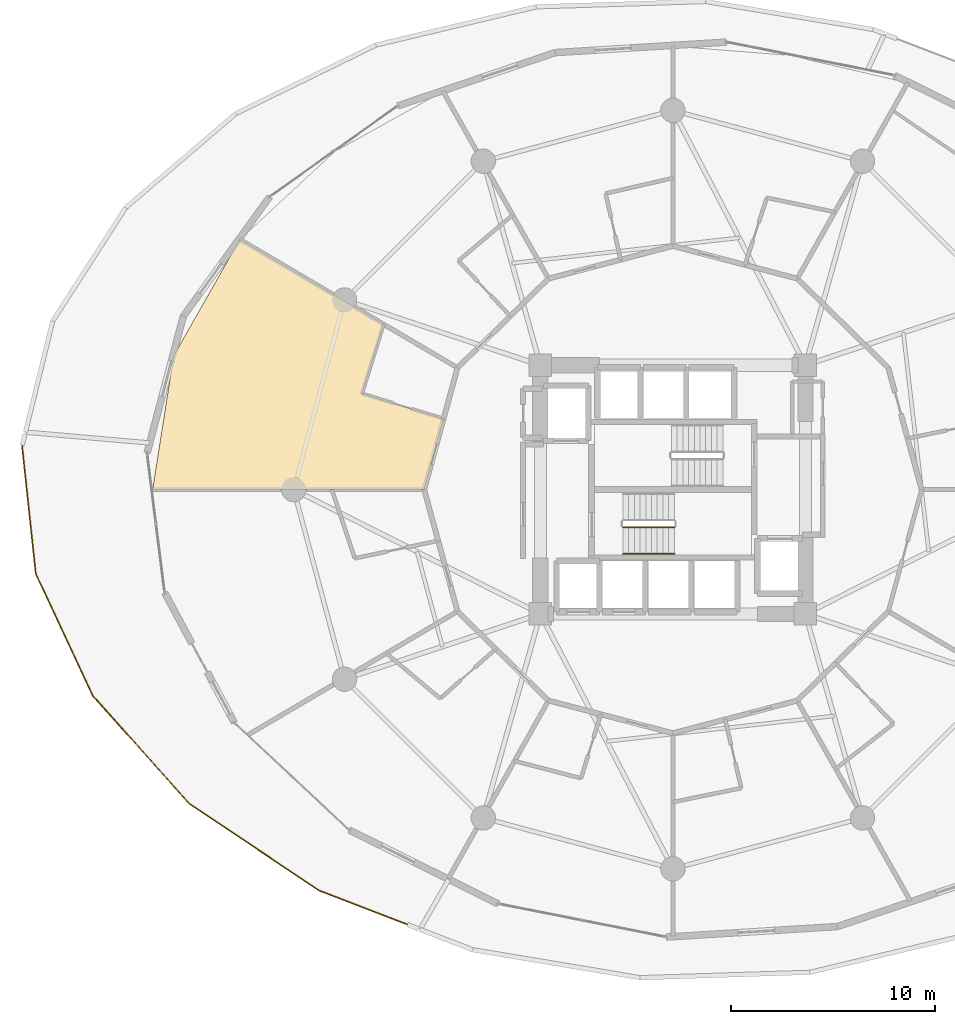
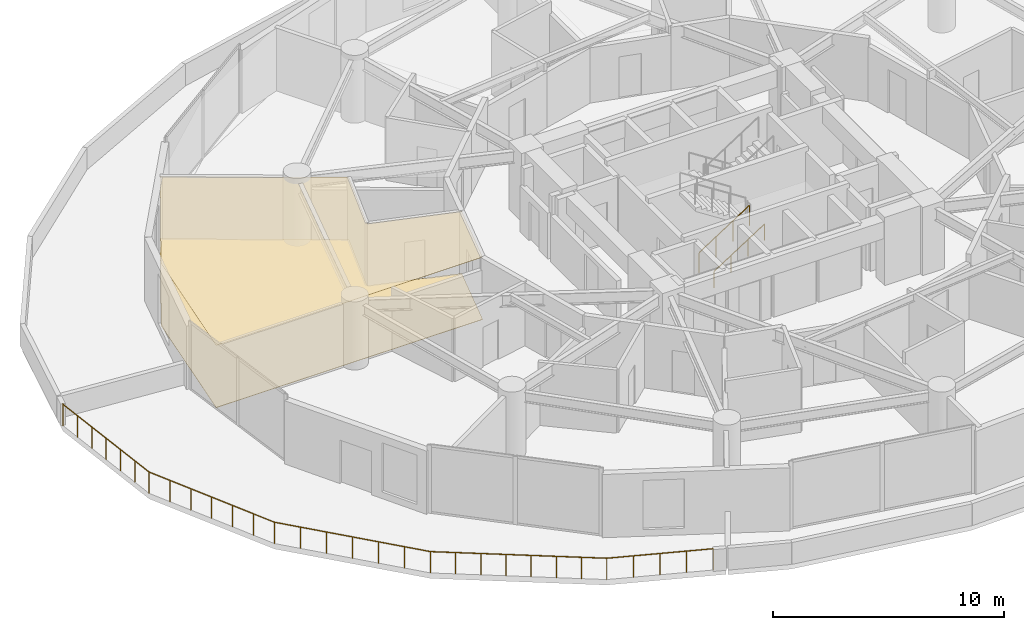
# One storey, part 23 of 25: 3 railings, 2 coverings.
"""IFC4 building model written with IfcOpenShell, lengths in metres."""

from ifc_helpers import new_model, si_unit, direction, frame, origin, origin_2d, place, context, subcontext, project, spatial, polyline, circle, outline, extrude, material, layer, layer_set, type_object, element, save


model = new_model("IFC4")

# Units and contexts
model_context = context("Model", 3, precision=1e-05, world=origin(), true_north=direction((0.0, 1.0)))
body_context = subcontext(model_context, "Body", "Model", "MODEL_VIEW")
ifc_project = project(units=[si_unit("LENGTHUNIT", "METRE"), si_unit("AREAUNIT", "SQUARE_METRE"), si_unit("VOLUMEUNIT", "CUBIC_METRE"), si_unit("PLANEANGLEUNIT", "RADIAN"), si_unit("MASSUNIT", "GRAM", prefix="KILO")], contexts=[model_context])

# Site, building, storey
site_placement = place(None, origin())
site = spatial("IfcSite", under=ifc_project, at=site_placement, CompositionType="ELEMENT")
building_placement = place(site_placement, origin())
building = spatial("IfcBuilding", under=site, at=building_placement, Name="Solvirekh Grand Hotel", CompositionType="ELEMENT")
storey_placement = place(building_placement, frame((0.0, 0.0, 28.39990234375)))
storey = spatial("IfcBuildingStorey", under=building, at=storey_placement, Name="L05", CompositionType="ELEMENT", Elevation=28.39990234375)

# Coverings
ifc_material_1 = material(Name="Acoustic Mineral Ceiling Tile")
ifc_layer_1 = layer(ifc_material_1, 0.02490234375)
ifc_layer_set_1 = layer_set([ifc_layer_1], Name="Acoustic Mineral Ceiling Tile")
covering_type_1 = type_object("IfcCoveringType", Name="Cov_Ceiling_Acoustic", PredefinedType="CEILING", material=ifc_layer_set_1)
covering_1_placement = place(storey_placement, frame((0.0, 0.0, 3.2900390625)))
element("IfcCovering", 1, at=covering_1_placement, inside=storey, type_object=covering_type_1, Name="L05 Deluxe Guestroom 0705 acoustic ceiling", PredefinedType="CEILING", context=body_context, shape_type="SweptSolid", body=[
    extrude(outline(polyline([(-15.260986328125, 4.7060546875), (-14.197021484375, 8.114013671875), (-21.24609375, 12.26611328125), (-24.489013671875, 6.56201171875), (-25.52197265625, 0.0), (-12.199951171875, 0.0), (-11.251953125, 3.466064453125), (-15.260986328125, 4.7060546875)])), origin(), (0.0, 0.0, 1.0), 0.01806640625),
])
ifc_material_2 = material(Name="Porcelain Stoneware Flooring", Category="masonry")
ifc_layer_2 = layer(ifc_material_2, 0.030029296875)
ifc_layer_set_2 = layer_set([ifc_layer_2], Name="Porcelain Stoneware Flooring")
covering_type_2 = type_object("IfcCoveringType", Name="Cov_Floor_Stone", PredefinedType="FLOORING", material=ifc_layer_set_2)
covering_2_placement = place(storey_placement, origin())
element("IfcCovering", 2, at=covering_2_placement, inside=storey, type_object=covering_type_2, Name="L05 Deluxe Guestroom 0705 polished granite flooring", PredefinedType="FLOORING", context=body_context, shape_type="SweptSolid", body=[
    extrude(outline(polyline([(-15.260986328125, 4.7060546875), (-14.197021484375, 8.114013671875), (-21.24609375, 12.26611328125), (-24.489013671875, 6.56201171875), (-25.52197265625, 0.0), (-12.199951171875, 0.0), (-11.251953125, 3.466064453125), (-15.260986328125, 4.7060546875)])), origin(), (0.0, 0.0, 1.0), 0.02001953125),
])

# Railings
ifc_material_3 = material(Name="Anodized Bronze Aluminium 6063-T6", Category="aluminium")
railing_type_1 = type_object("IfcRailingType", Name="Guard_ExtGlass_1150", PredefinedType="BALUSTRADE", material=ifc_material_3)
railing_1_placement = place(storey_placement, frame((-31.912109375, 2.2060546875, 0.0)))
element("IfcRailing", 3, at=railing_1_placement, inside=storey, type_object=railing_type_1, Name="L05 pod-west perimeter glass balustrade", PredefinedType="BALUSTRADE", context=body_context, shape_type="SweptSolid", body=[
    extrude(circle(Radius=0.02392578125, at=origin_2d()), frame((0.0, 0.0, 1.1259765625), z_axis=(-0.244303938251, -0.969698708752, 0.0), x_axis=(0.969698708752, -0.244303938251, 0.0)), (0.0, 0.0, 1.0), 0.06494140625),
    extrude(circle(Radius=0.02392578125, at=origin_2d()), frame((-0.015869140625, -0.06298828125, 1.1259765625), z_axis=(0.106530390003, -0.994309446805, 0.0), x_axis=(0.994309446805, 0.106530390003, 0.0)), (0.0, 0.0, 1.0), 6.306884765625),
    extrude(circle(Radius=0.02392578125, at=origin_2d()), frame((0.656005859375, -6.333984375, 1.1259765625), z_axis=(0.423770618135, -0.905769541995, 0.0), x_axis=(0.905769541995, 0.423770618135, 0.0)), (0.0, 0.0, 1.0), 6.612060546875),
    extrude(circle(Radius=0.02392578125, at=origin_2d()), frame((3.4580078125, -12.322998046875, 1.1259765625), z_axis=(0.666721597684, -0.745306857061, 0.0), x_axis=(0.745306857061, 0.666721597684, 0.0)), (0.0, 0.0, 1.0), 7.111328125),
    extrude(circle(Radius=0.02392578125, at=origin_2d()), frame((8.19921875, -17.623046875, 1.1259765625), z_axis=(0.831381626456, -0.555701890577, 0.0), x_axis=(0.555701890577, 0.831381626456, 0.0)), (0.0, 0.0, 1.0), 7.646240234375),
    extrude(circle(Radius=0.02392578125, at=origin_2d()), frame((14.55615234375, -21.8720703125, 1.1259765625), z_axis=(0.932904336004, -0.360124283914, 0.0), x_axis=(0.360124283914, 0.932904336004, 0.0)), (0.0, 0.0, 1.0), 4.67041015625),
    extrude(circle(Radius=0.02099609375, at=origin_2d()), origin(), (0.0, 0.0, 1.0), 1.101806640625),
    extrude(circle(Radius=0.02099609375, at=origin_2d()), frame((-0.015869140625, -0.06298828125, 0.0)), (0.0, 0.0, 1.0), 1.101806640625),
    extrude(circle(Radius=0.02099609375, at=origin_2d()), frame((0.09619140625, -1.108154296875, 0.0)), (0.0, 0.0, 1.0), 1.101806640625),
    extrude(circle(Radius=0.02099609375, at=origin_2d()), frame((0.2080078125, -2.1533203125, 0.0)), (0.0, 0.0, 1.0), 1.101806640625),
    extrude(circle(Radius=0.02099609375, at=origin_2d()), frame((0.320068359375, -3.198486328125, 0.0)), (0.0, 0.0, 1.0), 1.101806640625),
    extrude(circle(Radius=0.02099609375, at=origin_2d()), frame((0.43212890625, -4.24365234375, 0.0)), (0.0, 0.0, 1.0), 1.101806640625),
    extrude(circle(Radius=0.02099609375, at=origin_2d()), frame((0.5439453125, -5.288818359375, 0.0)), (0.0, 0.0, 1.0), 1.101806640625),
    extrude(circle(Radius=0.02099609375, at=origin_2d()), frame((0.656005859375, -6.333984375, 0.0)), (0.0, 0.0, 1.0), 1.101806640625),
    extrude(circle(Radius=0.02099609375, at=origin_2d()), frame((1.123046875, -7.33203125, 0.0)), (0.0, 0.0, 1.0), 1.101806640625),
    extrude(circle(Radius=0.02099609375, at=origin_2d()), frame((1.590087890625, -8.330322265625, 0.0)), (0.0, 0.0, 1.0), 1.101806640625),
    extrude(circle(Radius=0.02099609375, at=origin_2d()), frame((2.05712890625, -9.32861328125, 0.0)), (0.0, 0.0, 1.0), 1.101806640625),
    extrude(circle(Radius=0.02099609375, at=origin_2d()), frame((2.52392578125, -10.32666015625, 0.0)), (0.0, 0.0, 1.0), 1.101806640625),
    extrude(circle(Radius=0.02099609375, at=origin_2d()), frame((2.990966796875, -11.32470703125, 0.0)), (0.0, 0.0, 1.0), 1.101806640625),
    extrude(circle(Radius=0.02099609375, at=origin_2d()), frame((3.4580078125, -12.322998046875, 0.0)), (0.0, 0.0, 1.0), 1.101806640625),
    extrude(circle(Radius=0.02099609375, at=origin_2d()), frame((4.248291015625, -13.206298828125, 0.0)), (0.0, 0.0, 1.0), 1.101806640625),
    extrude(circle(Radius=0.02099609375, at=origin_2d()), frame((5.038330078125, -14.089599609375, 0.0)), (0.0, 0.0, 1.0), 1.101806640625),
    extrude(circle(Radius=0.02099609375, at=origin_2d()), frame((5.82861328125, -14.97314453125, 0.0)), (0.0, 0.0, 1.0), 1.101806640625),
    extrude(circle(Radius=0.02099609375, at=origin_2d()), frame((6.618896484375, -15.8564453125, 0.0)), (0.0, 0.0, 1.0), 1.101806640625),
    extrude(circle(Radius=0.02099609375, at=origin_2d()), frame((7.408935546875, -16.73974609375, 0.0)), (0.0, 0.0, 1.0), 1.101806640625),
    extrude(circle(Radius=0.02099609375, at=origin_2d()), frame((8.19921875, -17.623046875, 0.0)), (0.0, 0.0, 1.0), 1.101806640625),
    extrude(circle(Radius=0.02099609375, at=origin_2d()), frame((9.107421875, -18.22998046875, 0.0)), (0.0, 0.0, 1.0), 1.101806640625),
    extrude(circle(Radius=0.02099609375, at=origin_2d()), frame((10.015380859375, -18.837158203125, 0.0)), (0.0, 0.0, 1.0), 1.101806640625),
    extrude(circle(Radius=0.02099609375, at=origin_2d()), frame((10.923583984375, -19.444091796875, 0.0)), (0.0, 0.0, 1.0), 1.101806640625),
    extrude(circle(Radius=0.02099609375, at=origin_2d()), frame((11.831787109375, -20.051025390625, 0.0)), (0.0, 0.0, 1.0), 1.101806640625),
    extrude(circle(Radius=0.02099609375, at=origin_2d()), frame((12.739990234375, -20.657958984375, 0.0)), (0.0, 0.0, 1.0), 1.101806640625),
    extrude(circle(Radius=0.02099609375, at=origin_2d()), frame((13.64794921875, -21.26513671875, 0.0)), (0.0, 0.0, 1.0), 1.101806640625),
    extrude(circle(Radius=0.02099609375, at=origin_2d()), frame((14.55615234375, -21.8720703125, 0.0)), (0.0, 0.0, 1.0), 1.101806640625),
    extrude(circle(Radius=0.02099609375, at=origin_2d()), frame((15.6455078125, -22.29248046875, 0.0)), (0.0, 0.0, 1.0), 1.101806640625),
    extrude(circle(Radius=0.02099609375, at=origin_2d()), frame((16.734619140625, -22.712890625, 0.0)), (0.0, 0.0, 1.0), 1.101806640625),
    extrude(circle(Radius=0.02099609375, at=origin_2d()), frame((17.82373046875, -23.133544921875, 0.0)), (0.0, 0.0, 1.0), 1.101806640625),
    extrude(circle(Radius=0.02099609375, at=origin_2d()), frame((18.9130859375, -23.553955078125, 0.0)), (0.0, 0.0, 1.0), 1.101806640625),
])
ifc_material_4 = material(Name="Steel S355", Category="steel")
railing_type_2 = type_object("IfcRailingType", Name="Guard_Stair_1100", PredefinedType="GUARDRAIL", material=ifc_material_4)
railing_2_placement = place(storey_placement, frame((-2.449951171875, -1.85009765625, 0.18017578125)))
element("IfcRailing", 4, at=railing_2_placement, inside=storey, type_object=railing_type_2, Name="L05 ST-1 stair guard 1", PredefinedType="GUARDRAIL", context=body_context, shape_type="SweptSolid", body=[
    extrude(circle(Radius=0.02392578125, at=origin_2d()), frame((0.0, 0.0, 1.076171875), z_axis=(0.841199657755, 0.0, 0.540724639528), x_axis=(0.0, 1.0, 0.0)), (0.0, 0.0, 1.0), 2.995849609375),
    extrude(circle(Radius=0.02099609375, at=origin_2d()), origin(), (0.0, 0.0, 1.0), 1.052001953125),
    extrude(circle(Radius=0.02099609375, at=origin_2d()), frame((0.840087890625, 0.0, 0.5400390625)), (0.0, 0.0, 1.0), 1.052001953125),
    extrude(circle(Radius=0.02099609375, at=origin_2d()), frame((1.679931640625, 0.0, 1.079833984375)), (0.0, 0.0, 1.0), 1.052001953125),
    extrude(circle(Radius=0.02099609375, at=origin_2d()), frame((2.52001953125, 0.0, 1.619873046875)), (0.0, 0.0, 1.0), 1.052001953125),
])
railing_type_3 = type_object("IfcRailingType", Name="Handrail_Wall_900", PredefinedType="HANDRAIL", material=ifc_material_3)
railing_3_placement = place(storey_placement, frame((-2.449951171875, -3.14990234375, 0.18017578125)))
element("IfcRailing", 5, at=railing_3_placement, inside=storey, type_object=railing_type_3, Name="L05 ST-1 stair handrail 1", PredefinedType="HANDRAIL", context=body_context, shape_type="SweptSolid", body=[
    extrude(circle(Radius=0.02392578125, at=origin_2d()), frame((0.0, 0.0, 0.8759765625), z_axis=(0.841199657755, 0.0, 0.540724639528), x_axis=(0.0, 1.0, 0.0)), (0.0, 0.0, 1.0), 2.995849609375),
    extrude(circle(Radius=0.02099609375, at=origin_2d()), origin(), (0.0, 0.0, 1.0), 0.851806640625),
    extrude(circle(Radius=0.02099609375, at=origin_2d()), frame((0.840087890625, 0.0, 0.5400390625)), (0.0, 0.0, 1.0), 0.851806640625),
    extrude(circle(Radius=0.02099609375, at=origin_2d()), frame((1.679931640625, 0.0, 1.079833984375)), (0.0, 0.0, 1.0), 0.851806640625),
    extrude(circle(Radius=0.02099609375, at=origin_2d()), frame((2.52001953125, 0.0, 1.619873046875)), (0.0, 0.0, 1.0), 0.851806640625),
])

save(model, "model.ifc")
